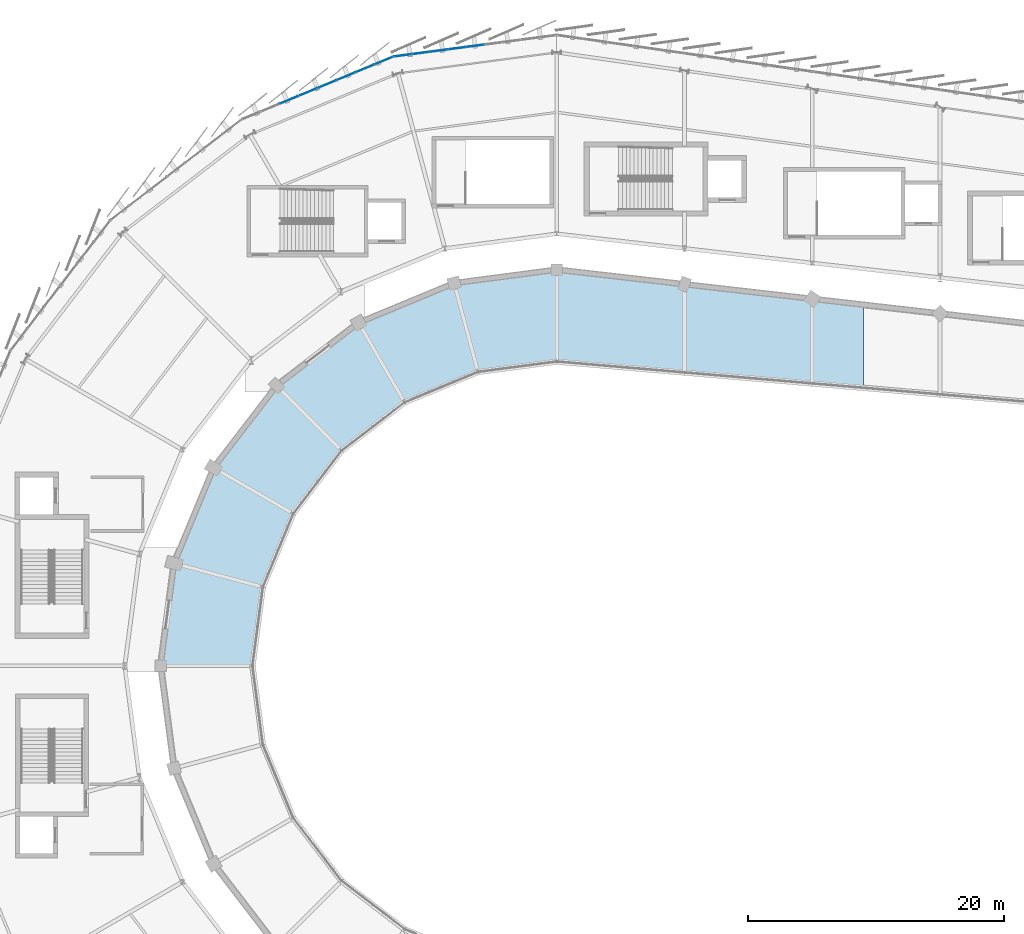
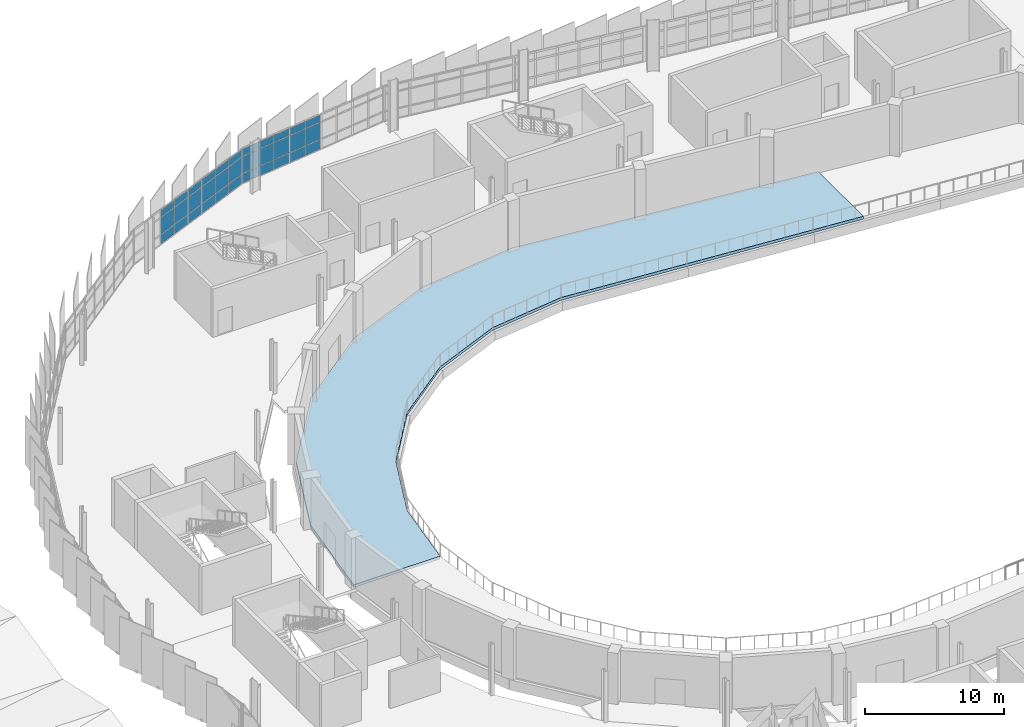
# One storey, part 66 of 87: 33 plates, 1 slab, 2 elements without a shape of their own.
"""IFC4 building model written with IfcOpenShell, lengths in metres."""

from ifc_helpers import new_model, si_unit, direction, frame, origin, origin_2d, place, context, subcontext, project, spatial, polyline, rectangle, outline, extrude, material, layer, layer_set, type_object, element, aggregate, save


model = new_model("IFC4")

# Units and contexts
model_context = context("Model", 3, precision=1e-05, world=origin(), true_north=direction((0.0, 1.0)))
body_context = subcontext(model_context, "Body", "Model", "MODEL_VIEW")
ifc_project = project(units=[si_unit("LENGTHUNIT", "METRE"), si_unit("AREAUNIT", "SQUARE_METRE"), si_unit("VOLUMEUNIT", "CUBIC_METRE"), si_unit("PLANEANGLEUNIT", "RADIAN"), si_unit("MASSUNIT", "GRAM", prefix="KILO")], contexts=[model_context])

# Site, building, storey
site_placement = place(None, origin())
site = spatial("IfcSite", under=ifc_project, at=site_placement, CompositionType="ELEMENT")
building_placement = place(site_placement, origin())
building = spatial("IfcBuilding", under=site, at=building_placement, Name="Sohan Crest Arena", CompositionType="ELEMENT")
storey_placement = place(building_placement, frame((0.0, 0.0, 18.0)))
storey = spatial("IfcBuildingStorey", under=building, at=storey_placement, Name="L04", CompositionType="ELEMENT", Elevation=18.0)

# Curtain wall, plates
ifc_material_1 = material(Name="Thermally broken anodised aluminium", Category="aluminium")
ifc_layer_1 = layer(ifc_material_1, 0.179931640625, Name="Thermally broken anodised aluminium")
ifc_layer_set_1 = layer_set([ifc_layer_1], Name="Thermally broken anodised aluminium")
curtain_wall_type_1 = type_object("IfcCurtainWallType", Name="ARC-CW01", PredefinedType="NOTDEFINED", material=ifc_layer_set_1)
curtain_wall_1_placement = place(storey_placement, origin())
curtain_wall_1 = element("IfcCurtainWall", 1, at=curtain_wall_1_placement, inside=storey, type_object=curtain_wall_type_1, Name="Unitised curtain wall CW-112", PredefinedType="NOTDEFINED")
ifc_material_2 = material(Name="Low-E double-glazed insulated glass", Category="glass")
ifc_layer_2 = layer(ifc_material_2, 0.028076171875, Name="Low-E double-glazed insulated glass")
ifc_layer_set_2 = layer_set([ifc_layer_2], Name="Low-E double-glazed insulated glass")
plate_type_1 = type_object("IfcPlateType", Name="ARC-CNP01", PredefinedType="CURTAIN_PANEL", material=ifc_layer_set_2)
plate_1_placement = place(storey_placement, frame((91.613525390625, 126.509033203125, 0.06005859375), z_axis=(0.0, 0.0, 1.0), x_axis=(-0.991440816386, -0.130556913275, 0.0)))
plate_1 = element("IfcPlate", 2, at=plate_1_placement, type_object=plate_type_1, Name="CW-112 panel 5.1", PredefinedType="CURTAIN_PANEL", context=body_context, shape_type="SweptSolid", body=[
    extrude(rectangle(XDim=1.37158203125, YDim=0.028076171875, at=origin_2d()), origin(), (0.0, 0.0, 1.0), 0.81005859375),
])
plate_2_placement = place(storey_placement, frame((91.613525390625, 126.509033203125, 0.929931640625), z_axis=(0.0, 0.0, 1.0), x_axis=(-0.991440816386, -0.130556913275, 0.0)))
plate_2 = element("IfcPlate", 3, at=plate_2_placement, type_object=plate_type_1, Name="CW-112 panel 5.2", PredefinedType="CURTAIN_PANEL", context=body_context, shape_type="SweptSolid", body=[
    extrude(rectangle(XDim=1.37158203125, YDim=0.028076171875, at=origin_2d()), origin(), (0.0, 0.0, 1.0), 1.4599609375),
])
plate_3_placement = place(storey_placement, frame((91.613525390625, 126.509033203125, 2.44970703125), z_axis=(0.0, 0.0, 1.0), x_axis=(-0.991440816386, -0.130556913275, 0.0)))
plate_3 = element("IfcPlate", 4, at=plate_3_placement, type_object=plate_type_1, Name="CW-112 panel 5.3", PredefinedType="CURTAIN_PANEL", context=body_context, shape_type="SweptSolid", body=[
    extrude(rectangle(XDim=1.37158203125, YDim=0.028076171875, at=origin_2d()), origin(), (0.0, 0.0, 1.0), 0.610107421875),
])
plate_4_placement = place(storey_placement, frame((90.1943359375, 126.322021484375, 0.06005859375), z_axis=(0.0, 0.0, 1.0), x_axis=(-0.991440816386, -0.130556913275, 0.0)))
plate_4 = element("IfcPlate", 5, at=plate_4_placement, type_object=plate_type_1, Name="CW-112 panel 6.1", PredefinedType="CURTAIN_PANEL", context=body_context, shape_type="SweptSolid", body=[
    extrude(rectangle(XDim=1.37158203125, YDim=0.028076171875, at=origin_2d()), origin(), (0.0, 0.0, 1.0), 0.81005859375),
])
plate_5_placement = place(storey_placement, frame((90.1943359375, 126.322021484375, 0.929931640625), z_axis=(0.0, 0.0, 1.0), x_axis=(-0.991440816386, -0.130556913275, 0.0)))
plate_5 = element("IfcPlate", 6, at=plate_5_placement, type_object=plate_type_1, Name="CW-112 panel 6.2", PredefinedType="CURTAIN_PANEL", context=body_context, shape_type="SweptSolid", body=[
    extrude(rectangle(XDim=1.37158203125, YDim=0.028076171875, at=origin_2d()), origin(), (0.0, 0.0, 1.0), 1.4599609375),
])
plate_6_placement = place(storey_placement, frame((90.1943359375, 126.322021484375, 2.44970703125), z_axis=(0.0, 0.0, 1.0), x_axis=(-0.991440816386, -0.130556913275, 0.0)))
plate_6 = element("IfcPlate", 7, at=plate_6_placement, type_object=plate_type_1, Name="CW-112 panel 6.3", PredefinedType="CURTAIN_PANEL", context=body_context, shape_type="SweptSolid", body=[
    extrude(rectangle(XDim=1.37158203125, YDim=0.028076171875, at=origin_2d()), origin(), (0.0, 0.0, 1.0), 0.610107421875),
])
plate_7_placement = place(storey_placement, frame((88.775146484375, 126.13525390625, 0.06005859375), z_axis=(0.0, 0.0, 1.0), x_axis=(-0.991440816386, -0.130556913275, 0.0)))
plate_7 = element("IfcPlate", 8, at=plate_7_placement, type_object=plate_type_1, Name="CW-112 panel 7.1", PredefinedType="CURTAIN_PANEL", context=body_context, shape_type="SweptSolid", body=[
    extrude(rectangle(XDim=1.37158203125, YDim=0.028076171875, at=origin_2d()), origin(), (0.0, 0.0, 1.0), 0.81005859375),
])
plate_8_placement = place(storey_placement, frame((88.775146484375, 126.13525390625, 0.929931640625), z_axis=(0.0, 0.0, 1.0), x_axis=(-0.991440816386, -0.130556913275, 0.0)))
plate_8 = element("IfcPlate", 9, at=plate_8_placement, type_object=plate_type_1, Name="CW-112 panel 7.2", PredefinedType="CURTAIN_PANEL", context=body_context, shape_type="SweptSolid", body=[
    extrude(rectangle(XDim=1.37158203125, YDim=0.028076171875, at=origin_2d()), origin(), (0.0, 0.0, 1.0), 1.4599609375),
])
plate_9_placement = place(storey_placement, frame((88.775146484375, 126.13525390625, 2.44970703125), z_axis=(0.0, 0.0, 1.0), x_axis=(-0.991440816386, -0.130556913275, 0.0)))
plate_9 = element("IfcPlate", 10, at=plate_9_placement, type_object=plate_type_1, Name="CW-112 panel 7.3", PredefinedType="CURTAIN_PANEL", context=body_context, shape_type="SweptSolid", body=[
    extrude(rectangle(XDim=1.37158203125, YDim=0.028076171875, at=origin_2d()), origin(), (0.0, 0.0, 1.0), 0.610107421875),
])
plate_10_placement = place(storey_placement, frame((87.355712890625, 125.9482421875, 0.06005859375), z_axis=(0.0, 0.0, 1.0), x_axis=(-0.991440816386, -0.130556913275, 0.0)))
plate_10 = element("IfcPlate", 11, at=plate_10_placement, type_object=plate_type_1, Name="CW-112 panel 8.1", PredefinedType="CURTAIN_PANEL", context=body_context, shape_type="SweptSolid", body=[
    extrude(rectangle(XDim=1.37158203125, YDim=0.028076171875, at=origin_2d()), origin(), (0.0, 0.0, 1.0), 0.81005859375),
])
plate_11_placement = place(storey_placement, frame((87.355712890625, 125.9482421875, 0.929931640625), z_axis=(0.0, 0.0, 1.0), x_axis=(-0.991440816386, -0.130556913275, 0.0)))
plate_11 = element("IfcPlate", 12, at=plate_11_placement, type_object=plate_type_1, Name="CW-112 panel 8.2", PredefinedType="CURTAIN_PANEL", context=body_context, shape_type="SweptSolid", body=[
    extrude(rectangle(XDim=1.37158203125, YDim=0.028076171875, at=origin_2d()), origin(), (0.0, 0.0, 1.0), 1.4599609375),
])
plate_12_placement = place(storey_placement, frame((87.355712890625, 125.9482421875, 2.44970703125), z_axis=(0.0, 0.0, 1.0), x_axis=(-0.991440816386, -0.130556913275, 0.0)))
plate_12 = element("IfcPlate", 13, at=plate_12_placement, type_object=plate_type_1, Name="CW-112 panel 8.3", PredefinedType="CURTAIN_PANEL", context=body_context, shape_type="SweptSolid", body=[
    extrude(rectangle(XDim=1.37158203125, YDim=0.028076171875, at=origin_2d()), origin(), (0.0, 0.0, 1.0), 0.610107421875),
])
plate_13_placement = place(storey_placement, frame((85.951416015625, 125.763427734375, 0.06005859375), z_axis=(0.0, 0.0, 1.0), x_axis=(-0.991440816386, -0.130556913275, 0.0)))
plate_13 = element("IfcPlate", 14, at=plate_13_placement, type_object=plate_type_1, Name="CW-112 panel 9.1", PredefinedType="CURTAIN_PANEL", context=body_context, shape_type="SweptSolid", body=[
    extrude(rectangle(XDim=1.341552734375, YDim=0.028076171875, at=origin_2d()), origin(), (0.0, 0.0, 1.0), 0.81005859375),
])
plate_14_placement = place(storey_placement, frame((85.951416015625, 125.763427734375, 0.929931640625), z_axis=(0.0, 0.0, 1.0), x_axis=(-0.991440816386, -0.130556913275, 0.0)))
plate_14 = element("IfcPlate", 15, at=plate_14_placement, type_object=plate_type_1, Name="CW-112 panel 9.2", PredefinedType="CURTAIN_PANEL", context=body_context, shape_type="SweptSolid", body=[
    extrude(rectangle(XDim=1.341552734375, YDim=0.028076171875, at=origin_2d()), origin(), (0.0, 0.0, 1.0), 1.4599609375),
])
plate_15_placement = place(storey_placement, frame((85.951416015625, 125.763427734375, 2.44970703125), z_axis=(0.0, 0.0, 1.0), x_axis=(-0.991440816386, -0.130556913275, 0.0)))
plate_15 = element("IfcPlate", 16, at=plate_15_placement, type_object=plate_type_1, Name="CW-112 panel 9.3", PredefinedType="CURTAIN_PANEL", context=body_context, shape_type="SweptSolid", body=[
    extrude(rectangle(XDim=1.341552734375, YDim=0.028076171875, at=origin_2d()), origin(), (0.0, 0.0, 1.0), 0.610107421875),
])
aggregate(curtain_wall_1, [plate_1, plate_2, plate_3, plate_4, plate_5, plate_6, plate_7, plate_8, plate_9, plate_10, plate_11, plate_12, plate_13, plate_14, plate_15])

ifc_layer_3 = layer(ifc_material_1, 0.199951171875, Name="Thermally broken anodised aluminium")
ifc_layer_set_3 = layer_set([ifc_layer_3], Name="Thermally broken anodised aluminium")
curtain_wall_type_2 = type_object("IfcCurtainWallType", Name="ARC-CW02", PredefinedType="NOTDEFINED", material=ifc_layer_set_3)
curtain_wall_2_placement = place(storey_placement, origin())
curtain_wall_2 = element("IfcCurtainWall", 17, at=curtain_wall_2_placement, inside=storey, type_object=curtain_wall_type_2, Name="Unitised curtain wall CW-113", PredefinedType="NOTDEFINED")
ifc_layer_4 = layer(ifc_material_2, 0.031982421875, Name="Low-E double-glazed insulated glass")
ifc_layer_set_4 = layer_set([ifc_layer_4], Name="Low-E double-glazed insulated glass")
plate_type_2 = type_object("IfcPlateType", Name="ARC-CNP02", PredefinedType="CURTAIN_PANEL", material=ifc_layer_set_4)
plate_16_placement = place(storey_placement, frame((84.468017578125, 125.353759765625, 0.06494140625), z_axis=(0.0, 0.0, 1.0), x_axis=(-0.923878704229, -0.382685432009, 0.0)))
plate_16 = element("IfcPlate", 18, at=plate_16_placement, type_object=plate_type_2, Name="CW-113 panel 1.1", PredefinedType="CURTAIN_PANEL", context=body_context, shape_type="SweptSolid", body=[
    extrude(rectangle(XDim=1.512939453125, YDim=0.031982421875, at=origin_2d()), origin(), (0.0, 0.0, 1.0), 0.802490234375),
])
plate_17_placement = place(storey_placement, frame((84.468017578125, 125.353759765625, 0.932373046875), z_axis=(0.0, 0.0, 1.0), x_axis=(-0.923878704229, -0.382685432009, 0.0)))
plate_17 = element("IfcPlate", 19, at=plate_17_placement, type_object=plate_type_2, Name="CW-113 panel 1.2", PredefinedType="CURTAIN_PANEL", context=body_context, shape_type="SweptSolid", body=[
    extrude(rectangle(XDim=1.512939453125, YDim=0.031982421875, at=origin_2d()), origin(), (0.0, 0.0, 1.0), 1.455078125),
])
plate_18_placement = place(storey_placement, frame((84.468017578125, 125.353759765625, 2.452392578125), z_axis=(0.0, 0.0, 1.0), x_axis=(-0.923878704229, -0.382685432009, 0.0)))
plate_18 = element("IfcPlate", 20, at=plate_18_placement, type_object=plate_type_2, Name="CW-113 panel 1.3", PredefinedType="CURTAIN_PANEL", context=body_context, shape_type="SweptSolid", body=[
    extrude(rectangle(XDim=1.512939453125, YDim=0.031982421875, at=origin_2d()), origin(), (0.0, 0.0, 1.0), 0.6025390625),
])
plate_19_placement = place(storey_placement, frame((82.995361328125, 124.74365234375, 0.06494140625), z_axis=(0.0, 0.0, 1.0), x_axis=(-0.923878704229, -0.382685432009, 0.0)))
plate_19 = element("IfcPlate", 21, at=plate_19_placement, type_object=plate_type_2, Name="CW-113 panel 2.1", PredefinedType="CURTAIN_PANEL", context=body_context, shape_type="SweptSolid", body=[
    extrude(rectangle(XDim=1.54541015625, YDim=0.031982421875, at=origin_2d()), origin(), (0.0, 0.0, 1.0), 0.802490234375),
])
plate_20_placement = place(storey_placement, frame((82.995361328125, 124.74365234375, 0.932373046875), z_axis=(0.0, 0.0, 1.0), x_axis=(-0.923878704229, -0.382685432009, 0.0)))
plate_20 = element("IfcPlate", 22, at=plate_20_placement, type_object=plate_type_2, Name="CW-113 panel 2.2", PredefinedType="CURTAIN_PANEL", context=body_context, shape_type="SweptSolid", body=[
    extrude(rectangle(XDim=1.54541015625, YDim=0.031982421875, at=origin_2d()), origin(), (0.0, 0.0, 1.0), 1.455078125),
])
plate_21_placement = place(storey_placement, frame((82.995361328125, 124.74365234375, 2.452392578125), z_axis=(0.0, 0.0, 1.0), x_axis=(-0.923878704229, -0.382685432009, 0.0)))
plate_21 = element("IfcPlate", 23, at=plate_21_placement, type_object=plate_type_2, Name="CW-113 panel 2.3", PredefinedType="CURTAIN_PANEL", context=body_context, shape_type="SweptSolid", body=[
    extrude(rectangle(XDim=1.54541015625, YDim=0.031982421875, at=origin_2d()), origin(), (0.0, 0.0, 1.0), 0.6025390625),
])
plate_22_placement = place(storey_placement, frame((81.507568359375, 124.12744140625, 0.06494140625), z_axis=(0.0, 0.0, 1.0), x_axis=(-0.923878704229, -0.382685432009, 0.0)))
plate_22 = element("IfcPlate", 24, at=plate_22_placement, type_object=plate_type_2, Name="CW-113 panel 3.1", PredefinedType="CURTAIN_PANEL", context=body_context, shape_type="SweptSolid", body=[
    extrude(rectangle(XDim=1.54541015625, YDim=0.031982421875, at=origin_2d()), origin(), (0.0, 0.0, 1.0), 0.802490234375),
])
plate_23_placement = place(storey_placement, frame((81.507568359375, 124.12744140625, 0.932373046875), z_axis=(0.0, 0.0, 1.0), x_axis=(-0.923878704229, -0.382685432009, 0.0)))
plate_23 = element("IfcPlate", 25, at=plate_23_placement, type_object=plate_type_2, Name="CW-113 panel 3.2", PredefinedType="CURTAIN_PANEL", context=body_context, shape_type="SweptSolid", body=[
    extrude(rectangle(XDim=1.54541015625, YDim=0.031982421875, at=origin_2d()), origin(), (0.0, 0.0, 1.0), 1.455078125),
])
plate_24_placement = place(storey_placement, frame((81.507568359375, 124.12744140625, 2.452392578125), z_axis=(0.0, 0.0, 1.0), x_axis=(-0.923878704229, -0.382685432009, 0.0)))
plate_24 = element("IfcPlate", 26, at=plate_24_placement, type_object=plate_type_2, Name="CW-113 panel 3.3", PredefinedType="CURTAIN_PANEL", context=body_context, shape_type="SweptSolid", body=[
    extrude(rectangle(XDim=1.54541015625, YDim=0.031982421875, at=origin_2d()), origin(), (0.0, 0.0, 1.0), 0.6025390625),
])
plate_25_placement = place(storey_placement, frame((80.019775390625, 123.51123046875, 0.06494140625), z_axis=(0.0, 0.0, 1.0), x_axis=(-0.923878704229, -0.382685432009, 0.0)))
plate_25 = element("IfcPlate", 27, at=plate_25_placement, type_object=plate_type_2, Name="CW-113 panel 4.1", PredefinedType="CURTAIN_PANEL", context=body_context, shape_type="SweptSolid", body=[
    extrude(rectangle(XDim=1.54541015625, YDim=0.031982421875, at=origin_2d()), origin(), (0.0, 0.0, 1.0), 0.802490234375),
])
plate_26_placement = place(storey_placement, frame((80.019775390625, 123.51123046875, 0.932373046875), z_axis=(0.0, 0.0, 1.0), x_axis=(-0.923878704229, -0.382685432009, 0.0)))
plate_26 = element("IfcPlate", 28, at=plate_26_placement, type_object=plate_type_2, Name="CW-113 panel 4.2", PredefinedType="CURTAIN_PANEL", context=body_context, shape_type="SweptSolid", body=[
    extrude(rectangle(XDim=1.54541015625, YDim=0.031982421875, at=origin_2d()), origin(), (0.0, 0.0, 1.0), 1.455078125),
])
plate_27_placement = place(storey_placement, frame((80.019775390625, 123.51123046875, 2.452392578125), z_axis=(0.0, 0.0, 1.0), x_axis=(-0.923878704229, -0.382685432009, 0.0)))
plate_27 = element("IfcPlate", 29, at=plate_27_placement, type_object=plate_type_2, Name="CW-113 panel 4.3", PredefinedType="CURTAIN_PANEL", context=body_context, shape_type="SweptSolid", body=[
    extrude(rectangle(XDim=1.54541015625, YDim=0.031982421875, at=origin_2d()), origin(), (0.0, 0.0, 1.0), 0.6025390625),
])
plate_28_placement = place(storey_placement, frame((78.5322265625, 122.894775390625, 0.06494140625), z_axis=(0.0, 0.0, 1.0), x_axis=(-0.923878704229, -0.382685432009, 0.0)))
plate_28 = element("IfcPlate", 30, at=plate_28_placement, type_object=plate_type_2, Name="CW-113 panel 5.1", PredefinedType="CURTAIN_PANEL", context=body_context, shape_type="SweptSolid", body=[
    extrude(rectangle(XDim=1.54541015625, YDim=0.031982421875, at=origin_2d()), origin(), (0.0, 0.0, 1.0), 0.802490234375),
])
plate_29_placement = place(storey_placement, frame((78.5322265625, 122.894775390625, 0.932373046875), z_axis=(0.0, 0.0, 1.0), x_axis=(-0.923878704229, -0.382685432009, 0.0)))
plate_29 = element("IfcPlate", 31, at=plate_29_placement, type_object=plate_type_2, Name="CW-113 panel 5.2", PredefinedType="CURTAIN_PANEL", context=body_context, shape_type="SweptSolid", body=[
    extrude(rectangle(XDim=1.54541015625, YDim=0.031982421875, at=origin_2d()), origin(), (0.0, 0.0, 1.0), 1.455078125),
])
plate_30_placement = place(storey_placement, frame((78.5322265625, 122.894775390625, 2.452392578125), z_axis=(0.0, 0.0, 1.0), x_axis=(-0.923878704229, -0.382685432009, 0.0)))
plate_30 = element("IfcPlate", 32, at=plate_30_placement, type_object=plate_type_2, Name="CW-113 panel 5.3", PredefinedType="CURTAIN_PANEL", context=body_context, shape_type="SweptSolid", body=[
    extrude(rectangle(XDim=1.54541015625, YDim=0.031982421875, at=origin_2d()), origin(), (0.0, 0.0, 1.0), 0.6025390625),
])
plate_31_placement = place(storey_placement, frame((77.04443359375, 122.278564453125, 0.06494140625), z_axis=(0.0, 0.0, 1.0), x_axis=(-0.923878704229, -0.382685432009, 0.0)))
plate_31 = element("IfcPlate", 33, at=plate_31_placement, type_object=plate_type_2, Name="CW-113 panel 6.1", PredefinedType="CURTAIN_PANEL", context=body_context, shape_type="SweptSolid", body=[
    extrude(rectangle(XDim=1.54541015625, YDim=0.031982421875, at=origin_2d()), origin(), (0.0, 0.0, 1.0), 0.802490234375),
])
plate_32_placement = place(storey_placement, frame((77.04443359375, 122.278564453125, 0.932373046875), z_axis=(0.0, 0.0, 1.0), x_axis=(-0.923878704229, -0.382685432009, 0.0)))
plate_32 = element("IfcPlate", 34, at=plate_32_placement, type_object=plate_type_2, Name="CW-113 panel 6.2", PredefinedType="CURTAIN_PANEL", context=body_context, shape_type="SweptSolid", body=[
    extrude(rectangle(XDim=1.54541015625, YDim=0.031982421875, at=origin_2d()), origin(), (0.0, 0.0, 1.0), 1.455078125),
])
plate_33_placement = place(storey_placement, frame((77.04443359375, 122.278564453125, 2.452392578125), z_axis=(0.0, 0.0, 1.0), x_axis=(-0.923878704229, -0.382685432009, 0.0)))
plate_33 = element("IfcPlate", 35, at=plate_33_placement, type_object=plate_type_2, Name="CW-113 panel 6.3", PredefinedType="CURTAIN_PANEL", context=body_context, shape_type="SweptSolid", body=[
    extrude(rectangle(XDim=1.54541015625, YDim=0.031982421875, at=origin_2d()), origin(), (0.0, 0.0, 1.0), 0.6025390625),
])
aggregate(curtain_wall_2, [plate_16, plate_17, plate_18, plate_19, plate_20, plate_21, plate_22, plate_23, plate_24, plate_25, plate_26, plate_27, plate_28, plate_29, plate_30, plate_31, plate_32, plate_33])

# Slab
ifc_material_3 = material(Name="Concrete C40/50", Category="concrete")
ifc_layer_5 = layer(ifc_material_3, 0.25, Name="Concrete C40/50")
ifc_layer_set_5 = layer_set([ifc_layer_5], Name="Concrete C40/50")
slab_type = type_object("IfcSlabType", Name="SL-FLR3", PredefinedType="FLOOR", material=ifc_layer_set_5)
slab_placement = place(storey_placement, frame((0.0, 0.0, -0.25)))
element("IfcSlab", 36, at=slab_placement, inside=storey, type_object=slab_type, Name="Bowl vomitory ring L04 Q1 SL-L04-V1Q1", PredefinedType="FLOOR", context=body_context, shape_type="SweptSolid", body=[
    extrude(outline(polyline([(68.055908203125, 86.02294921875), (71.153076171875, 93.5), (76.080078125, 99.919921875), (82.5, 104.846923828125), (89.97705078125, 107.944091796875), (98.0, 109.0), (122.0, 106.257080078125), (122.0, 99.742919921875), (98.0, 101.800048828125), (91.840087890625, 100.989013671875), (86.10009765625, 98.611083984375), (81.1708984375, 94.8291015625), (77.388916015625, 89.89990234375), (75.010986328125, 84.159912109375), (74.199951171875, 78.0), (67.0, 78.0), (68.055908203125, 86.02294921875)])), origin(), (0.0, 0.0, 1.0), 0.25),
])

save(model, "model.ifc")
